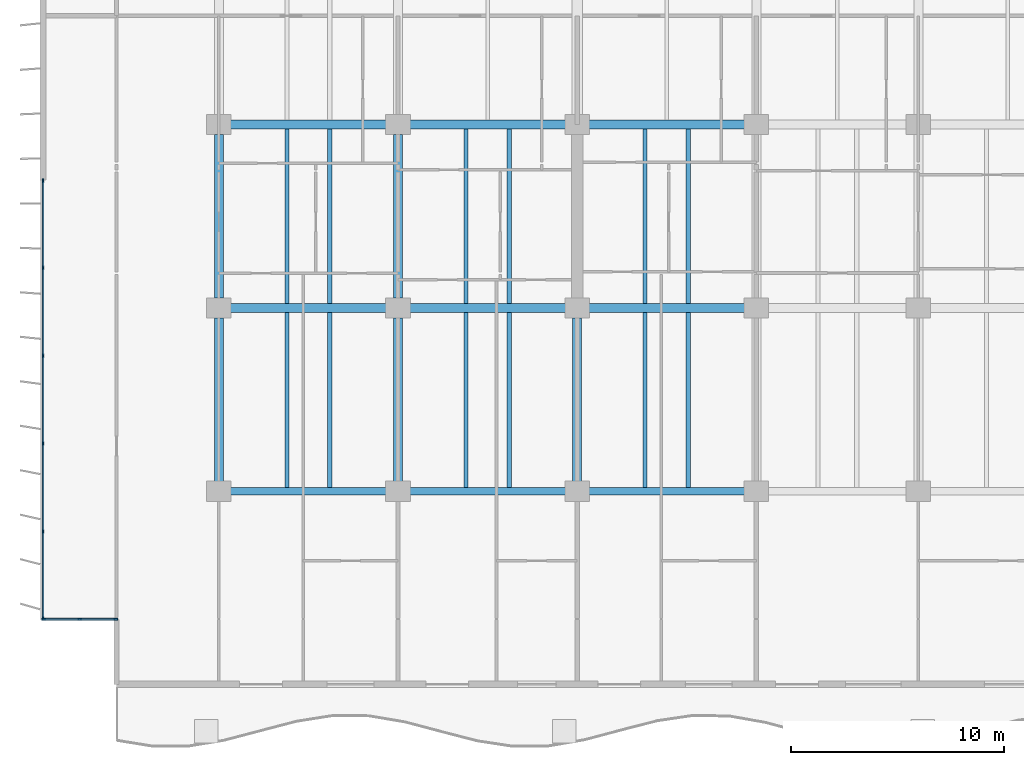
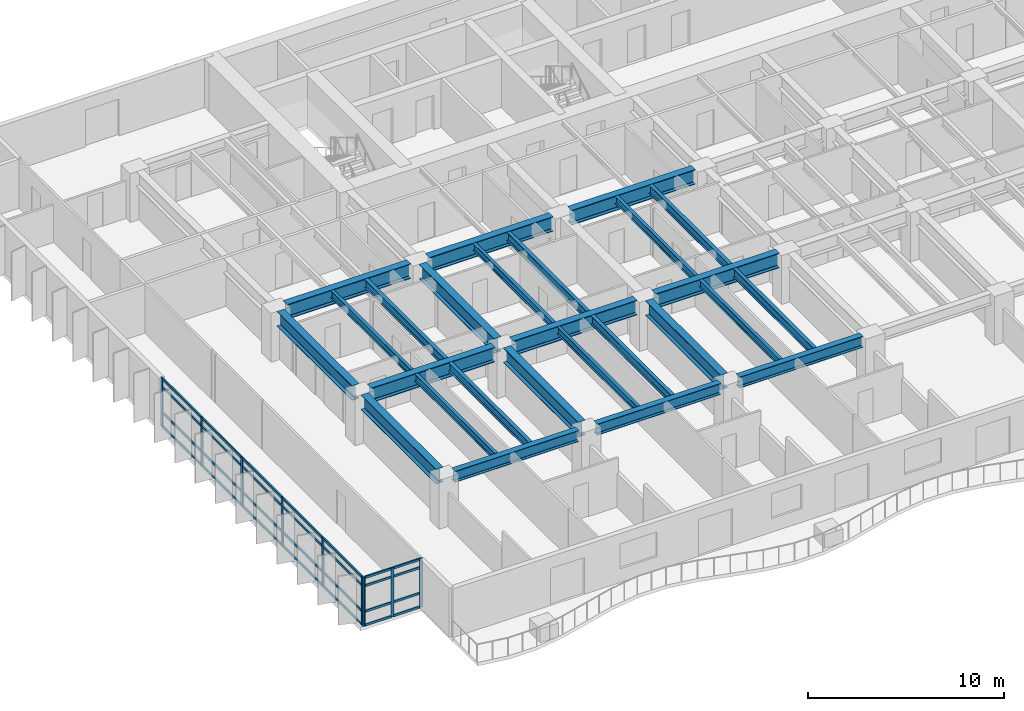
# One storey, part 2 of 17: 37 members, 26 beams, 2 elements without a shape of their own.
"""IFC4 building model written with IfcOpenShell, lengths in metres."""

from ifc_helpers import new_model, si_unit, direction, frame, origin, origin_2d, place, context, subcontext, project, spatial, rectangle, i_section, extrude, material, layer, layer_set, material_profile, profile_set, type_object, element, aggregate, save


model = new_model("IFC4")

# Units and contexts
model_context = context("Model", 3, precision=1e-05, world=origin(), true_north=direction((0.0, 1.0)))
body_context = subcontext(model_context, "Body", "Model", "MODEL_VIEW")
ifc_project = project(units=[si_unit("LENGTHUNIT", "METRE"), si_unit("AREAUNIT", "SQUARE_METRE"), si_unit("VOLUMEUNIT", "CUBIC_METRE"), si_unit("PLANEANGLEUNIT", "RADIAN"), si_unit("MASSUNIT", "GRAM", prefix="KILO")], contexts=[model_context])

# Site, building, storey
site_placement = place(None, origin())
site = spatial("IfcSite", under=ifc_project, at=site_placement, CompositionType="ELEMENT")
building_placement = place(site_placement, origin())
building = spatial("IfcBuilding", under=site, at=building_placement, Name="Caelmar Bay Residences", CompositionType="ELEMENT")
storey_placement = place(building_placement, frame((0.0, 0.0, 33.300048828125)))
storey = spatial("IfcBuildingStorey", under=building, at=storey_placement, Name="L07", CompositionType="ELEMENT", Elevation=33.300048828125)

# Beams
ifc_material_1 = material(Name="Steel ASTM A992 Grade 50", Category="steel")
ifc_material_profile_1 = material_profile(ifc_material_1, i_section(OverallWidth=0.422119140625, OverallDepth=0.925048828125, WebThickness=0.021240234375, FlangeThickness=0.03662109375, FilletRadius=0.020263671875, at=origin_2d()), Name="W36X262")
ifc_profile_set_1 = profile_set([ifc_material_profile_1], Name="Steel ASTM A992 Grade 50")
beam_type_1 = type_object("IfcBeamType", Name="BM-GRD-W36X262", PredefinedType="BEAM", material=ifc_profile_set_1)
beam_1_placement = place(storey_placement, frame((10.43994140625, 20.800048828125, 2.58740234375), z_axis=(1.0, 0.0, 0.0), x_axis=(0.0, 1.0, 0.0)))
element("IfcBeam", 1, at=beam_1_placement, inside=storey, type_object=beam_type_1, Name="L07 East-West Girder Y=20.80 (9.9-18.3)", PredefinedType="BEAM", context=body_context, shape_type="SweptSolid", body=[
    extrude(i_section(OverallWidth=0.422119140625, OverallDepth=0.925048828125, WebThickness=0.021240234375, FlangeThickness=0.03662109375, FilletRadius=0.020263671875, at=origin_2d()), origin(), (0.0, 0.0, 1.0), 7.320068359375),
])
beam_2_placement = place(storey_placement, frame((18.840087890625, 20.800048828125, 2.58740234375), z_axis=(1.0, 0.0, 0.0), x_axis=(0.0, 1.0, 0.0)))
element("IfcBeam", 2, at=beam_2_placement, inside=storey, type_object=beam_type_1, Name="L07 East-West Girder Y=20.80 (18.3-26.7)", PredefinedType="BEAM", context=body_context, shape_type="SweptSolid", body=[
    extrude(i_section(OverallWidth=0.422119140625, OverallDepth=0.925048828125, WebThickness=0.021240234375, FlangeThickness=0.03662109375, FilletRadius=0.020263671875, at=origin_2d()), origin(), (0.0, 0.0, 1.0), 7.31982421875),
])
for number, where, z_axis, x_axis, name in (
    (3, (27.239990234375, 20.800048828125, 2.58740234375), (1.0, 0.0, 0.0), (0.0, 1.0, 0.0), "L07 East-West Girder Y=20.80 (26.7-35.1)"),
    (4, (10.43994140625, 29.39990234375, 2.58740234375), (1.0, 0.0, 0.0), (0.0, 1.0, 0.0), "L07 East-West Girder Y=29.40 (9.9-18.3)"),
):
    element("IfcBeam", number, at=place(storey_placement, frame(where, z_axis=z_axis, x_axis=x_axis)), inside=storey, type_object=beam_type_1, Name=name, PredefinedType="BEAM", context=body_context, shape_type="SweptSolid", body=[
        extrude(i_section(OverallWidth=0.422119140625, OverallDepth=0.925048828125, WebThickness=0.021240234375, FlangeThickness=0.03662109375, FilletRadius=0.020263671875, at=origin_2d()), origin(), (0.0, 0.0, 1.0), 7.320068359375),
    ])
beam_3_placement = place(storey_placement, frame((18.840087890625, 29.39990234375, 2.58740234375), z_axis=(1.0, 0.0, 0.0), x_axis=(0.0, 1.0, 0.0)))
element("IfcBeam", 5, at=beam_3_placement, inside=storey, type_object=beam_type_1, Name="L07 East-West Girder Y=29.40 (18.3-26.7)", PredefinedType="BEAM", context=body_context, shape_type="SweptSolid", body=[
    extrude(i_section(OverallWidth=0.422119140625, OverallDepth=0.925048828125, WebThickness=0.021240234375, FlangeThickness=0.03662109375, FilletRadius=0.020263671875, at=origin_2d()), origin(), (0.0, 0.0, 1.0), 7.31982421875),
])
beam_4_placement = place(storey_placement, frame((27.239990234375, 29.39990234375, 2.58740234375), z_axis=(1.0, 0.0, 0.0), x_axis=(0.0, 1.0, 0.0)))
element("IfcBeam", 6, at=beam_4_placement, inside=storey, type_object=beam_type_1, Name="L07 East-West Girder Y=29.40 (26.7-35.1)", PredefinedType="BEAM", context=body_context, shape_type="SweptSolid", body=[
    extrude(i_section(OverallWidth=0.422119140625, OverallDepth=0.925048828125, WebThickness=0.021240234375, FlangeThickness=0.03662109375, FilletRadius=0.020263671875, at=origin_2d()), origin(), (0.0, 0.0, 1.0), 7.320068359375),
])
beam_5_placement = place(storey_placement, frame((9.89990234375, 12.6650390625, 2.58740234375), z_axis=(0.0, 1.0, 0.0), x_axis=(-1.0, 0.0, 0.0)))
element("IfcBeam", 7, at=beam_5_placement, inside=storey, type_object=beam_type_1, Name="L07 North-South Girder X=9.90 (12.2-20.8)", PredefinedType="BEAM", context=body_context, shape_type="SweptSolid", body=[
    extrude(i_section(OverallWidth=0.422119140625, OverallDepth=0.925048828125, WebThickness=0.021240234375, FlangeThickness=0.03662109375, FilletRadius=0.020263671875, at=origin_2d()), origin(), (0.0, 0.0, 1.0), 7.669921875),
])
beam_6_placement = place(storey_placement, frame((9.89990234375, 21.264892578125, 2.58740234375), z_axis=(0.0, 1.0, 0.0), x_axis=(-1.0, 0.0, 0.0)))
element("IfcBeam", 8, at=beam_6_placement, inside=storey, type_object=beam_type_1, Name="L07 North-South Girder X=9.90 (20.8-29.4)", PredefinedType="BEAM", context=body_context, shape_type="SweptSolid", body=[
    extrude(i_section(OverallWidth=0.422119140625, OverallDepth=0.925048828125, WebThickness=0.021240234375, FlangeThickness=0.03662109375, FilletRadius=0.020263671875, at=origin_2d()), origin(), (0.0, 0.0, 1.0), 7.670166015625),
])
beam_7_placement = place(storey_placement, frame((18.300048828125, 12.6650390625, 2.58740234375), z_axis=(0.0, 1.0, 0.0), x_axis=(-1.0, 0.0, 0.0)))
element("IfcBeam", 9, at=beam_7_placement, inside=storey, type_object=beam_type_1, Name="L07 North-South Girder X=18.30 (12.2-20.8)", PredefinedType="BEAM", context=body_context, shape_type="SweptSolid", body=[
    extrude(i_section(OverallWidth=0.422119140625, OverallDepth=0.925048828125, WebThickness=0.021240234375, FlangeThickness=0.03662109375, FilletRadius=0.020263671875, at=origin_2d()), origin(), (0.0, 0.0, 1.0), 7.669921875),
])
beam_8_placement = place(storey_placement, frame((18.300048828125, 21.264892578125, 2.58740234375), z_axis=(0.0, 1.0, 0.0), x_axis=(-1.0, 0.0, 0.0)))
element("IfcBeam", 10, at=beam_8_placement, inside=storey, type_object=beam_type_1, Name="L07 North-South Girder X=18.30 (20.8-29.4)", PredefinedType="BEAM", context=body_context, shape_type="SweptSolid", body=[
    extrude(i_section(OverallWidth=0.422119140625, OverallDepth=0.925048828125, WebThickness=0.021240234375, FlangeThickness=0.03662109375, FilletRadius=0.020263671875, at=origin_2d()), origin(), (0.0, 0.0, 1.0), 7.670166015625),
])
beam_9_placement = place(storey_placement, frame((26.699951171875, 12.6650390625, 2.58740234375), z_axis=(0.0, 1.0, 0.0), x_axis=(-1.0, 0.0, 0.0)))
element("IfcBeam", 11, at=beam_9_placement, inside=storey, type_object=beam_type_1, Name="L07 North-South Girder X=26.70 (12.2-20.8)", PredefinedType="BEAM", context=body_context, shape_type="SweptSolid", body=[
    extrude(i_section(OverallWidth=0.422119140625, OverallDepth=0.925048828125, WebThickness=0.021240234375, FlangeThickness=0.03662109375, FilletRadius=0.020263671875, at=origin_2d()), origin(), (0.0, 0.0, 1.0), 7.669921875),
])
ifc_material_profile_2 = material_profile(ifc_material_1, i_section(OverallWidth=0.19091796875, OverallDepth=0.45703125, WebThickness=0.009033203125, FlangeThickness=0.014404296875, FilletRadius=0.01025390625, at=origin_2d()), Name="W18X50")
ifc_profile_set_2 = profile_set([ifc_material_profile_2], Name="Steel ASTM A992 Grade 50")
beam_type_2 = type_object("IfcBeamType", Name="BM-JST-W18X50", PredefinedType="JOIST", material=ifc_profile_set_2)
for number, where, z_axis, x_axis, name in (
    (12, (13.092041015625, 12.3779296875, 2.821533203125), (0.0, 1.0, 0.0), (-1.0, 0.0, 0.0), "L07 Composite Floor Joist 1"),
    (13, (21.491943359375, 12.3779296875, 2.821533203125), (0.0, 1.0, 0.0), (-1.0, 0.0, 0.0), "L07 Composite Floor Joist 3"),
    (14, (29.89208984375, 12.3779296875, 2.821533203125), (0.0, 1.0, 0.0), (-1.0, 0.0, 0.0), "L07 Composite Floor Joist 5"),
):
    element("IfcBeam", number, at=place(storey_placement, frame(where, z_axis=z_axis, x_axis=x_axis)), inside=storey, type_object=beam_type_2, Name=name, PredefinedType="JOIST", context=body_context, shape_type="SweptSolid", body=[
        extrude(i_section(OverallWidth=0.19091796875, OverallDepth=0.45703125, WebThickness=0.009033203125, FlangeThickness=0.014404296875, FilletRadius=0.01025390625, at=origin_2d()), origin(), (0.0, 0.0, 1.0), 8.211181640625),
    ])
for number, where, z_axis, x_axis, name in (
    (15, (13.092041015625, 21.010986328125, 2.821533203125), (0.0, 1.0, 0.0), (-1.0, 0.0, 0.0), "L07 Composite Floor Joist 15"),
    (16, (21.491943359375, 21.010986328125, 2.821533203125), (0.0, 1.0, 0.0), (-1.0, 0.0, 0.0), "L07 Composite Floor Joist 17"),
    (17, (29.89208984375, 21.010986328125, 2.821533203125), (0.0, 1.0, 0.0), (-1.0, 0.0, 0.0), "L07 Composite Floor Joist 19"),
):
    element("IfcBeam", number, at=place(storey_placement, frame(where, z_axis=z_axis, x_axis=x_axis)), inside=storey, type_object=beam_type_2, Name=name, PredefinedType="JOIST", context=body_context, shape_type="SweptSolid", body=[
        extrude(i_section(OverallWidth=0.19091796875, OverallDepth=0.45703125, WebThickness=0.009033203125, FlangeThickness=0.014404296875, FilletRadius=0.01025390625, at=origin_2d()), origin(), (0.0, 0.0, 1.0), 8.177978515625),
    ])
ifc_material_profile_3 = material_profile(ifc_material_1, i_section(OverallWidth=0.214111328125, OverallDepth=0.549072265625, WebThickness=0.0146484375, FlangeThickness=0.023681640625, FilletRadius=0.0126953125, at=origin_2d()), Name="W21X93")
ifc_profile_set_3 = profile_set([ifc_material_profile_3], Name="Steel ASTM A992 Grade 50")
beam_type_3 = type_object("IfcBeamType", Name="BM-JST-W21X93", PredefinedType="JOIST", material=ifc_profile_set_3)
for number, where, z_axis, x_axis, name in (
    (18, (15.10791015625, 12.3779296875, 2.775390625), (0.0, 1.0, 0.0), (-1.0, 0.0, 0.0), "L07 Composite Floor Joist 2"),
    (19, (23.508056640625, 12.3779296875, 2.775390625), (0.0, 1.0, 0.0), (-1.0, 0.0, 0.0), "L07 Composite Floor Joist 4"),
    (20, (31.907958984375, 12.3779296875, 2.775390625), (0.0, 1.0, 0.0), (-1.0, 0.0, 0.0), "L07 Composite Floor Joist 6"),
):
    element("IfcBeam", number, at=place(storey_placement, frame(where, z_axis=z_axis, x_axis=x_axis)), inside=storey, type_object=beam_type_3, Name=name, PredefinedType="JOIST", context=body_context, shape_type="SweptSolid", body=[
        extrude(i_section(OverallWidth=0.214111328125, OverallDepth=0.549072265625, WebThickness=0.0146484375, FlangeThickness=0.023681640625, FilletRadius=0.0126953125, at=origin_2d()), origin(), (0.0, 0.0, 1.0), 8.211181640625),
    ])
for number, where, z_axis, x_axis, name in (
    (21, (15.10791015625, 21.010986328125, 2.775390625), (0.0, 1.0, 0.0), (-1.0, 0.0, 0.0), "L07 Composite Floor Joist 16"),
    (22, (23.508056640625, 21.010986328125, 2.775390625), (0.0, 1.0, 0.0), (-1.0, 0.0, 0.0), "L07 Composite Floor Joist 18"),
    (23, (31.907958984375, 21.010986328125, 2.775390625), (0.0, 1.0, 0.0), (-1.0, 0.0, 0.0), "L07 Composite Floor Joist 20"),
):
    element("IfcBeam", number, at=place(storey_placement, frame(where, z_axis=z_axis, x_axis=x_axis)), inside=storey, type_object=beam_type_3, Name=name, PredefinedType="JOIST", context=body_context, shape_type="SweptSolid", body=[
        extrude(i_section(OverallWidth=0.214111328125, OverallDepth=0.549072265625, WebThickness=0.0146484375, FlangeThickness=0.023681640625, FilletRadius=0.0126953125, at=origin_2d()), origin(), (0.0, 0.0, 1.0), 8.177978515625),
    ])
ifc_material_profile_4 = material_profile(ifc_material_1, i_section(OverallWidth=0.35595703125, OverallDepth=0.696044921875, WebThickness=0.015380859375, FlangeThickness=0.02490234375, FilletRadius=0.01513671875, at=origin_2d()), Name="W27X146")
ifc_profile_set_4 = profile_set([ifc_material_profile_4], Name="Steel ASTM A992 Grade 50")
beam_type_4 = type_object("IfcBeamType", Name="BM-SPN-W27X146", PredefinedType="SPANDREL", material=ifc_profile_set_4)
beam_10_placement = place(storey_placement, frame((10.43994140625, 12.199951171875, 2.701904296875), z_axis=(1.0, 0.0, 0.0), x_axis=(0.0, 1.0, 0.0)))
element("IfcBeam", 24, at=beam_10_placement, inside=storey, type_object=beam_type_4, Name="L07 East-West Girder Y=12.20 (9.9-18.3)", PredefinedType="SPANDREL", context=body_context, shape_type="SweptSolid", body=[
    extrude(i_section(OverallWidth=0.35595703125, OverallDepth=0.696044921875, WebThickness=0.015380859375, FlangeThickness=0.02490234375, FilletRadius=0.01513671875, at=origin_2d()), origin(), (0.0, 0.0, 1.0), 7.320068359375),
])
beam_11_placement = place(storey_placement, frame((18.840087890625, 12.199951171875, 2.701904296875), z_axis=(1.0, 0.0, 0.0), x_axis=(0.0, 1.0, 0.0)))
element("IfcBeam", 25, at=beam_11_placement, inside=storey, type_object=beam_type_4, Name="L07 East-West Girder Y=12.20 (18.3-26.7)", PredefinedType="SPANDREL", context=body_context, shape_type="SweptSolid", body=[
    extrude(i_section(OverallWidth=0.35595703125, OverallDepth=0.696044921875, WebThickness=0.015380859375, FlangeThickness=0.02490234375, FilletRadius=0.01513671875, at=origin_2d()), origin(), (0.0, 0.0, 1.0), 7.31982421875),
])
beam_12_placement = place(storey_placement, frame((27.239990234375, 12.199951171875, 2.701904296875), z_axis=(1.0, 0.0, 0.0), x_axis=(0.0, 1.0, 0.0)))
element("IfcBeam", 26, at=beam_12_placement, inside=storey, type_object=beam_type_4, Name="L07 East-West Girder Y=12.20 (26.7-35.1)", PredefinedType="SPANDREL", context=body_context, shape_type="SweptSolid", body=[
    extrude(i_section(OverallWidth=0.35595703125, OverallDepth=0.696044921875, WebThickness=0.015380859375, FlangeThickness=0.02490234375, FilletRadius=0.01513671875, at=origin_2d()), origin(), (0.0, 0.0, 1.0), 7.320068359375),
])

# Curtain wall, members
ifc_material_2 = material(Name="Anodised bronze aluminium 6063-T6 and laminated glass", Category="aluminium")
ifc_layer_1 = layer(ifc_material_2, 0.179931640625)
ifc_layer_set_1 = layer_set([ifc_layer_1], Name="Anodised bronze aluminium 6063-T6 and laminated glass")
curtain_wall_type_1 = type_object("IfcCurtainWallType", Name="CW6-NTC", PredefinedType="NOTDEFINED", material=ifc_layer_set_1)
curtain_wall_1_placement = place(storey_placement, origin())
curtain_wall_1 = element("IfcCurtainWall", 27, at=curtain_wall_1_placement, inside=storey, type_object=curtain_wall_type_1, Name="CW6 curtain wall L07", PredefinedType="NOTDEFINED")
ifc_material_3 = material(Name="Anodised bronze aluminium 6063-T6", Category="aluminium")
ifc_material_profile_5 = material_profile(ifc_material_3, rectangle(XDim=0.080078125, YDim=0.179931640625, at=origin_2d()), Name="CWM-80X180")
ifc_profile_set_5 = profile_set([ifc_material_profile_5], Name="Anodised bronze aluminium 6063-T6")
member_type_1 = type_object("IfcMemberType", Name="CWM-180", PredefinedType="MULLION", material=ifc_profile_set_5)
member_1_placement = place(storey_placement, frame((1.68994140625, 6.199951171875, 0.0), z_axis=(0.0, 0.0, 1.0), x_axis=(0.0, 1.0, 0.0)))
member_1 = element("IfcMember", 28, at=member_1_placement, type_object=member_type_1, Name="CW6 mullion 1", PredefinedType="MULLION", context=body_context, shape_type="SweptSolid", body=[
    extrude(rectangle(XDim=0.080078125, YDim=0.179931640625, at=origin_2d()), origin(), (0.0, 0.0, 1.0), 3.050048828125),
])
member_2_placement = place(storey_placement, frame((3.375, 6.199951171875, 0.0), z_axis=(0.0, 0.0, 1.0), x_axis=(0.0, 1.0, 0.0)))
member_2 = element("IfcMember", 29, at=member_2_placement, type_object=member_type_1, Name="CW6 mullion 2", PredefinedType="MULLION", context=body_context, shape_type="SweptSolid", body=[
    extrude(rectangle(XDim=0.080078125, YDim=0.179931640625, at=origin_2d()), origin(), (0.0, 0.0, 1.0), 3.050048828125),
])
member_3_placement = place(storey_placement, frame((5.06005859375, 6.199951171875, 0.0), z_axis=(0.0, 0.0, 1.0), x_axis=(0.0, 1.0, 0.0)))
member_3 = element("IfcMember", 30, at=member_3_placement, type_object=member_type_1, Name="CW6 mullion 3", PredefinedType="MULLION", context=body_context, shape_type="SweptSolid", body=[
    extrude(rectangle(XDim=0.080078125, YDim=0.179931640625, at=origin_2d()), origin(), (0.0, 0.0, 1.0), 3.050048828125),
])

ifc_layer_2 = layer(ifc_material_2, 0.179931640625)
ifc_layer_set_2 = layer_set([ifc_layer_2], Name="Anodised bronze aluminium 6063-T6 and laminated glass")
curtain_wall_type_2 = type_object("IfcCurtainWallType", Name="CW2-Z1", PredefinedType="NOTDEFINED", material=ifc_layer_set_2)
curtain_wall_2_placement = place(storey_placement, origin())
curtain_wall_2 = element("IfcCurtainWall", 31, at=curtain_wall_2_placement, inside=storey, type_object=curtain_wall_type_2, Name="CW2 curtain wall L07", PredefinedType="NOTDEFINED")
member_4_placement = place(storey_placement, frame((1.64990234375, 6.239990234375, 0.0), z_axis=(0.0, 0.0, 1.0), x_axis=(-1.0, 0.0, 0.0)))
member_4 = element("IfcMember", 32, at=member_4_placement, type_object=member_type_1, Name="CW2 mullion 1", PredefinedType="MULLION", context=body_context, shape_type="SweptSolid", body=[
    extrude(rectangle(XDim=0.080078125, YDim=0.179931640625, at=origin_2d()), origin(), (0.0, 0.0, 1.0), 3.050048828125),
])
member_5_placement = place(storey_placement, frame((1.64990234375, 10.320068359375, 0.0), z_axis=(0.0, 0.0, 1.0), x_axis=(-1.0, 0.0, 0.0)))
member_5 = element("IfcMember", 33, at=member_5_placement, type_object=member_type_1, Name="CW2 mullion 2", PredefinedType="MULLION", context=body_context, shape_type="SweptSolid", body=[
    extrude(rectangle(XDim=0.080078125, YDim=0.179931640625, at=origin_2d()), origin(), (0.0, 0.0, 1.0), 3.050048828125),
])
member_6_placement = place(storey_placement, frame((1.64990234375, 14.43994140625, 0.0), z_axis=(0.0, 0.0, 1.0), x_axis=(-1.0, 0.0, 0.0)))
member_6 = element("IfcMember", 34, at=member_6_placement, type_object=member_type_1, Name="CW2 mullion 3", PredefinedType="MULLION", context=body_context, shape_type="SweptSolid", body=[
    extrude(rectangle(XDim=0.080078125, YDim=0.179931640625, at=origin_2d()), origin(), (0.0, 0.0, 1.0), 3.050048828125),
])
member_7_placement = place(storey_placement, frame((1.64990234375, 18.56005859375, 0.0), z_axis=(0.0, 0.0, 1.0), x_axis=(-1.0, 0.0, 0.0)))
member_7 = element("IfcMember", 35, at=member_7_placement, type_object=member_type_1, Name="CW2 mullion 4", PredefinedType="MULLION", context=body_context, shape_type="SweptSolid", body=[
    extrude(rectangle(XDim=0.080078125, YDim=0.179931640625, at=origin_2d()), origin(), (0.0, 0.0, 1.0), 3.050048828125),
])
member_8_placement = place(storey_placement, frame((1.64990234375, 22.679931640625, 0.0), z_axis=(0.0, 0.0, 1.0), x_axis=(-1.0, 0.0, 0.0)))
member_8 = element("IfcMember", 36, at=member_8_placement, type_object=member_type_1, Name="CW2 mullion 5", PredefinedType="MULLION", context=body_context, shape_type="SweptSolid", body=[
    extrude(rectangle(XDim=0.080078125, YDim=0.179931640625, at=origin_2d()), origin(), (0.0, 0.0, 1.0), 3.050048828125),
])
member_9_placement = place(storey_placement, frame((1.64990234375, 26.760009765625, 0.0), z_axis=(0.0, 0.0, 1.0), x_axis=(-1.0, 0.0, 0.0)))
member_9 = element("IfcMember", 37, at=member_9_placement, type_object=member_type_1, Name="CW2 mullion 6", PredefinedType="MULLION", context=body_context, shape_type="SweptSolid", body=[
    extrude(rectangle(XDim=0.080078125, YDim=0.179931640625, at=origin_2d()), origin(), (0.0, 0.0, 1.0), 3.050048828125),
])

# Member
ifc_material_profile_6 = material_profile(ifc_material_3, rectangle(XDim=0.080078125, YDim=0.139892578125, at=origin_2d()), Name="CWT-80X140")
ifc_profile_set_6 = profile_set([ifc_material_profile_6], Name="Anodised bronze aluminium 6063-T6")
member_type_2 = type_object("IfcMemberType", Name="CWT-140", PredefinedType="NOTDEFINED", material=ifc_profile_set_6)
member_10_placement = place(storey_placement, frame((1.72998046875, 6.199951171875, 0.0400390625), z_axis=(1.0, 0.0, 0.0), x_axis=(0.0, 1.0, 0.0)))
member_10 = element("IfcMember", 38, at=member_10_placement, type_object=member_type_2, Name="CW6 transom 1.1", ObjectType="TRANSOM", PredefinedType="USERDEFINED", context=body_context, shape_type="SweptSolid", body=[
    extrude(rectangle(XDim=0.080078125, YDim=0.139892578125, at=origin_2d()), origin(), (0.0, 0.0, 1.0), 1.60498046875),
])

member_11_placement = place(storey_placement, frame((1.72998046875, 6.199951171875, 0.89990234375), z_axis=(1.0, 0.0, 0.0), x_axis=(0.0, 1.0, 0.0)))
member_11 = element("IfcMember", 39, at=member_11_placement, type_object=member_type_2, Name="CW6 transom 1.2", ObjectType="TRANSOM", PredefinedType="USERDEFINED", context=body_context, shape_type="SweptSolid", body=[
    extrude(rectangle(XDim=0.080078125, YDim=0.139892578125, at=origin_2d()), origin(), (0.0, 0.0, 1.0), 1.60498046875),
])

member_12_placement = place(storey_placement, frame((1.72998046875, 6.199951171875, 2.5), z_axis=(1.0, 0.0, 0.0), x_axis=(0.0, 1.0, 0.0)))
member_12 = element("IfcMember", 40, at=member_12_placement, type_object=member_type_2, Name="CW6 transom 1.3", ObjectType="TRANSOM", PredefinedType="USERDEFINED", context=body_context, shape_type="SweptSolid", body=[
    extrude(rectangle(XDim=0.080078125, YDim=0.139892578125, at=origin_2d()), origin(), (0.0, 0.0, 1.0), 1.60498046875),
])

member_13_placement = place(storey_placement, frame((1.72998046875, 6.199951171875, 3.010009765625), z_axis=(1.0, 0.0, 0.0), x_axis=(0.0, 1.0, 0.0)))
member_13 = element("IfcMember", 41, at=member_13_placement, type_object=member_type_2, Name="CW6 transom 1.4", ObjectType="TRANSOM", PredefinedType="USERDEFINED", context=body_context, shape_type="SweptSolid", body=[
    extrude(rectangle(XDim=0.080078125, YDim=0.139892578125, at=origin_2d()), origin(), (0.0, 0.0, 1.0), 1.60498046875),
])

member_14_placement = place(storey_placement, frame((3.4150390625, 6.199951171875, 0.0400390625), z_axis=(1.0, 0.0, 0.0), x_axis=(0.0, 1.0, 0.0)))
member_14 = element("IfcMember", 42, at=member_14_placement, type_object=member_type_2, Name="CW6 transom 2.1", ObjectType="TRANSOM", PredefinedType="USERDEFINED", context=body_context, shape_type="SweptSolid", body=[
    extrude(rectangle(XDim=0.080078125, YDim=0.139892578125, at=origin_2d()), origin(), (0.0, 0.0, 1.0), 1.60498046875),
])

member_15_placement = place(storey_placement, frame((3.4150390625, 6.199951171875, 0.89990234375), z_axis=(1.0, 0.0, 0.0), x_axis=(0.0, 1.0, 0.0)))
member_15 = element("IfcMember", 43, at=member_15_placement, type_object=member_type_2, Name="CW6 transom 2.2", ObjectType="TRANSOM", PredefinedType="USERDEFINED", context=body_context, shape_type="SweptSolid", body=[
    extrude(rectangle(XDim=0.080078125, YDim=0.139892578125, at=origin_2d()), origin(), (0.0, 0.0, 1.0), 1.60498046875),
])

member_16_placement = place(storey_placement, frame((3.4150390625, 6.199951171875, 2.5), z_axis=(1.0, 0.0, 0.0), x_axis=(0.0, 1.0, 0.0)))
member_16 = element("IfcMember", 44, at=member_16_placement, type_object=member_type_2, Name="CW6 transom 2.3", ObjectType="TRANSOM", PredefinedType="USERDEFINED", context=body_context, shape_type="SweptSolid", body=[
    extrude(rectangle(XDim=0.080078125, YDim=0.139892578125, at=origin_2d()), origin(), (0.0, 0.0, 1.0), 1.60498046875),
])

member_17_placement = place(storey_placement, frame((3.4150390625, 6.199951171875, 3.010009765625), z_axis=(1.0, 0.0, 0.0), x_axis=(0.0, 1.0, 0.0)))
member_17 = element("IfcMember", 45, at=member_17_placement, type_object=member_type_2, Name="CW6 transom 2.4", ObjectType="TRANSOM", PredefinedType="USERDEFINED", context=body_context, shape_type="SweptSolid", body=[
    extrude(rectangle(XDim=0.080078125, YDim=0.139892578125, at=origin_2d()), origin(), (0.0, 0.0, 1.0), 1.60498046875),
])

aggregate(curtain_wall_1, [member_1, member_2, member_3, member_10, member_11, member_12, member_13, member_14, member_15, member_16, member_17])

member_18_placement = place(storey_placement, frame((1.64990234375, 6.280029296875, 0.0400390625), z_axis=(0.0, 1.0, 0.0), x_axis=(-1.0, 0.0, 0.0)))
member_18 = element("IfcMember", 46, at=member_18_placement, type_object=member_type_2, Name="CW2 transom 1.1", ObjectType="TRANSOM", PredefinedType="USERDEFINED", context=body_context, shape_type="SweptSolid", body=[
    extrude(rectangle(XDim=0.080078125, YDim=0.139892578125, at=origin_2d()), origin(), (0.0, 0.0, 1.0), 4.0),
])

member_19_placement = place(storey_placement, frame((1.64990234375, 6.280029296875, 0.89990234375), z_axis=(0.0, 1.0, 0.0), x_axis=(-1.0, 0.0, 0.0)))
member_19 = element("IfcMember", 47, at=member_19_placement, type_object=member_type_2, Name="CW2 transom 1.2", ObjectType="TRANSOM", PredefinedType="USERDEFINED", context=body_context, shape_type="SweptSolid", body=[
    extrude(rectangle(XDim=0.080078125, YDim=0.139892578125, at=origin_2d()), origin(), (0.0, 0.0, 1.0), 4.0),
])

member_20_placement = place(storey_placement, frame((1.64990234375, 6.280029296875, 2.5), z_axis=(0.0, 1.0, 0.0), x_axis=(-1.0, 0.0, 0.0)))
member_20 = element("IfcMember", 48, at=member_20_placement, type_object=member_type_2, Name="CW2 transom 1.3", ObjectType="TRANSOM", PredefinedType="USERDEFINED", context=body_context, shape_type="SweptSolid", body=[
    extrude(rectangle(XDim=0.080078125, YDim=0.139892578125, at=origin_2d()), origin(), (0.0, 0.0, 1.0), 4.0),
])

member_21_placement = place(storey_placement, frame((1.64990234375, 6.280029296875, 3.010009765625), z_axis=(0.0, 1.0, 0.0), x_axis=(-1.0, 0.0, 0.0)))
member_21 = element("IfcMember", 49, at=member_21_placement, type_object=member_type_2, Name="CW2 transom 1.4", ObjectType="TRANSOM", PredefinedType="USERDEFINED", context=body_context, shape_type="SweptSolid", body=[
    extrude(rectangle(XDim=0.080078125, YDim=0.139892578125, at=origin_2d()), origin(), (0.0, 0.0, 1.0), 4.0),
])

member_22_placement = place(storey_placement, frame((1.64990234375, 10.360107421875, 0.0400390625), z_axis=(0.0, 1.0, 0.0), x_axis=(-1.0, 0.0, 0.0)))
member_22 = element("IfcMember", 50, at=member_22_placement, type_object=member_type_2, Name="CW2 transom 2.1", ObjectType="TRANSOM", PredefinedType="USERDEFINED", context=body_context, shape_type="SweptSolid", body=[
    extrude(rectangle(XDim=0.080078125, YDim=0.139892578125, at=origin_2d()), origin(), (0.0, 0.0, 1.0), 4.039794921875),
])

member_23_placement = place(storey_placement, frame((1.64990234375, 10.360107421875, 0.89990234375), z_axis=(0.0, 1.0, 0.0), x_axis=(-1.0, 0.0, 0.0)))
member_23 = element("IfcMember", 51, at=member_23_placement, type_object=member_type_2, Name="CW2 transom 2.2", ObjectType="TRANSOM", PredefinedType="USERDEFINED", context=body_context, shape_type="SweptSolid", body=[
    extrude(rectangle(XDim=0.080078125, YDim=0.139892578125, at=origin_2d()), origin(), (0.0, 0.0, 1.0), 4.039794921875),
])

member_24_placement = place(storey_placement, frame((1.64990234375, 10.360107421875, 2.5), z_axis=(0.0, 1.0, 0.0), x_axis=(-1.0, 0.0, 0.0)))
member_24 = element("IfcMember", 52, at=member_24_placement, type_object=member_type_2, Name="CW2 transom 2.3", ObjectType="TRANSOM", PredefinedType="USERDEFINED", context=body_context, shape_type="SweptSolid", body=[
    extrude(rectangle(XDim=0.080078125, YDim=0.139892578125, at=origin_2d()), origin(), (0.0, 0.0, 1.0), 4.039794921875),
])

member_25_placement = place(storey_placement, frame((1.64990234375, 10.360107421875, 3.010009765625), z_axis=(0.0, 1.0, 0.0), x_axis=(-1.0, 0.0, 0.0)))
member_25 = element("IfcMember", 53, at=member_25_placement, type_object=member_type_2, Name="CW2 transom 2.4", ObjectType="TRANSOM", PredefinedType="USERDEFINED", context=body_context, shape_type="SweptSolid", body=[
    extrude(rectangle(XDim=0.080078125, YDim=0.139892578125, at=origin_2d()), origin(), (0.0, 0.0, 1.0), 4.039794921875),
])

member_26_placement = place(storey_placement, frame((1.64990234375, 14.47998046875, 0.0400390625), z_axis=(0.0, 1.0, 0.0), x_axis=(-1.0, 0.0, 0.0)))
member_26 = element("IfcMember", 54, at=member_26_placement, type_object=member_type_2, Name="CW2 transom 3.1", ObjectType="TRANSOM", PredefinedType="USERDEFINED", context=body_context, shape_type="SweptSolid", body=[
    extrude(rectangle(XDim=0.080078125, YDim=0.139892578125, at=origin_2d()), origin(), (0.0, 0.0, 1.0), 4.0400390625),
])

member_27_placement = place(storey_placement, frame((1.64990234375, 14.47998046875, 0.89990234375), z_axis=(0.0, 1.0, 0.0), x_axis=(-1.0, 0.0, 0.0)))
member_27 = element("IfcMember", 55, at=member_27_placement, type_object=member_type_2, Name="CW2 transom 3.2", ObjectType="TRANSOM", PredefinedType="USERDEFINED", context=body_context, shape_type="SweptSolid", body=[
    extrude(rectangle(XDim=0.080078125, YDim=0.139892578125, at=origin_2d()), origin(), (0.0, 0.0, 1.0), 4.0400390625),
])

member_28_placement = place(storey_placement, frame((1.64990234375, 14.47998046875, 2.5), z_axis=(0.0, 1.0, 0.0), x_axis=(-1.0, 0.0, 0.0)))
member_28 = element("IfcMember", 56, at=member_28_placement, type_object=member_type_2, Name="CW2 transom 3.3", ObjectType="TRANSOM", PredefinedType="USERDEFINED", context=body_context, shape_type="SweptSolid", body=[
    extrude(rectangle(XDim=0.080078125, YDim=0.139892578125, at=origin_2d()), origin(), (0.0, 0.0, 1.0), 4.0400390625),
])

member_29_placement = place(storey_placement, frame((1.64990234375, 14.47998046875, 3.010009765625), z_axis=(0.0, 1.0, 0.0), x_axis=(-1.0, 0.0, 0.0)))
member_29 = element("IfcMember", 57, at=member_29_placement, type_object=member_type_2, Name="CW2 transom 3.4", ObjectType="TRANSOM", PredefinedType="USERDEFINED", context=body_context, shape_type="SweptSolid", body=[
    extrude(rectangle(XDim=0.080078125, YDim=0.139892578125, at=origin_2d()), origin(), (0.0, 0.0, 1.0), 4.0400390625),
])

member_30_placement = place(storey_placement, frame((1.64990234375, 18.60009765625, 0.0400390625), z_axis=(0.0, 1.0, 0.0), x_axis=(-1.0, 0.0, 0.0)))
member_30 = element("IfcMember", 58, at=member_30_placement, type_object=member_type_2, Name="CW2 transom 4.1", ObjectType="TRANSOM", PredefinedType="USERDEFINED", context=body_context, shape_type="SweptSolid", body=[
    extrude(rectangle(XDim=0.080078125, YDim=0.139892578125, at=origin_2d()), origin(), (0.0, 0.0, 1.0), 4.039794921875),
])

member_31_placement = place(storey_placement, frame((1.64990234375, 18.60009765625, 0.89990234375), z_axis=(0.0, 1.0, 0.0), x_axis=(-1.0, 0.0, 0.0)))
member_31 = element("IfcMember", 59, at=member_31_placement, type_object=member_type_2, Name="CW2 transom 4.2", ObjectType="TRANSOM", PredefinedType="USERDEFINED", context=body_context, shape_type="SweptSolid", body=[
    extrude(rectangle(XDim=0.080078125, YDim=0.139892578125, at=origin_2d()), origin(), (0.0, 0.0, 1.0), 4.039794921875),
])

member_32_placement = place(storey_placement, frame((1.64990234375, 18.60009765625, 2.5), z_axis=(0.0, 1.0, 0.0), x_axis=(-1.0, 0.0, 0.0)))
member_32 = element("IfcMember", 60, at=member_32_placement, type_object=member_type_2, Name="CW2 transom 4.3", ObjectType="TRANSOM", PredefinedType="USERDEFINED", context=body_context, shape_type="SweptSolid", body=[
    extrude(rectangle(XDim=0.080078125, YDim=0.139892578125, at=origin_2d()), origin(), (0.0, 0.0, 1.0), 4.039794921875),
])

member_33_placement = place(storey_placement, frame((1.64990234375, 18.60009765625, 3.010009765625), z_axis=(0.0, 1.0, 0.0), x_axis=(-1.0, 0.0, 0.0)))
member_33 = element("IfcMember", 61, at=member_33_placement, type_object=member_type_2, Name="CW2 transom 4.4", ObjectType="TRANSOM", PredefinedType="USERDEFINED", context=body_context, shape_type="SweptSolid", body=[
    extrude(rectangle(XDim=0.080078125, YDim=0.139892578125, at=origin_2d()), origin(), (0.0, 0.0, 1.0), 4.039794921875),
])

member_34_placement = place(storey_placement, frame((1.64990234375, 22.719970703125, 0.0400390625), z_axis=(0.0, 1.0, 0.0), x_axis=(-1.0, 0.0, 0.0)))
member_34 = element("IfcMember", 62, at=member_34_placement, type_object=member_type_2, Name="CW2 transom 5.1", ObjectType="TRANSOM", PredefinedType="USERDEFINED", context=body_context, shape_type="SweptSolid", body=[
    extrude(rectangle(XDim=0.080078125, YDim=0.139892578125, at=origin_2d()), origin(), (0.0, 0.0, 1.0), 4.0),
])

member_35_placement = place(storey_placement, frame((1.64990234375, 22.719970703125, 0.89990234375), z_axis=(0.0, 1.0, 0.0), x_axis=(-1.0, 0.0, 0.0)))
member_35 = element("IfcMember", 63, at=member_35_placement, type_object=member_type_2, Name="CW2 transom 5.2", ObjectType="TRANSOM", PredefinedType="USERDEFINED", context=body_context, shape_type="SweptSolid", body=[
    extrude(rectangle(XDim=0.080078125, YDim=0.139892578125, at=origin_2d()), origin(), (0.0, 0.0, 1.0), 4.0),
])

member_36_placement = place(storey_placement, frame((1.64990234375, 22.719970703125, 2.5), z_axis=(0.0, 1.0, 0.0), x_axis=(-1.0, 0.0, 0.0)))
member_36 = element("IfcMember", 64, at=member_36_placement, type_object=member_type_2, Name="CW2 transom 5.3", ObjectType="TRANSOM", PredefinedType="USERDEFINED", context=body_context, shape_type="SweptSolid", body=[
    extrude(rectangle(XDim=0.080078125, YDim=0.139892578125, at=origin_2d()), origin(), (0.0, 0.0, 1.0), 4.0),
])

member_37_placement = place(storey_placement, frame((1.64990234375, 22.719970703125, 3.010009765625), z_axis=(0.0, 1.0, 0.0), x_axis=(-1.0, 0.0, 0.0)))
member_37 = element("IfcMember", 65, at=member_37_placement, type_object=member_type_2, Name="CW2 transom 5.4", ObjectType="TRANSOM", PredefinedType="USERDEFINED", context=body_context, shape_type="SweptSolid", body=[
    extrude(rectangle(XDim=0.080078125, YDim=0.139892578125, at=origin_2d()), origin(), (0.0, 0.0, 1.0), 4.0),
])

aggregate(curtain_wall_2, [member_4, member_5, member_6, member_7, member_8, member_9, member_18, member_19, member_20, member_21, member_22, member_23, member_24, member_25, member_26, member_27, member_28, member_29, member_30, member_31, member_32, member_33, member_34, member_35, member_36, member_37])

save(model, "model.ifc")
